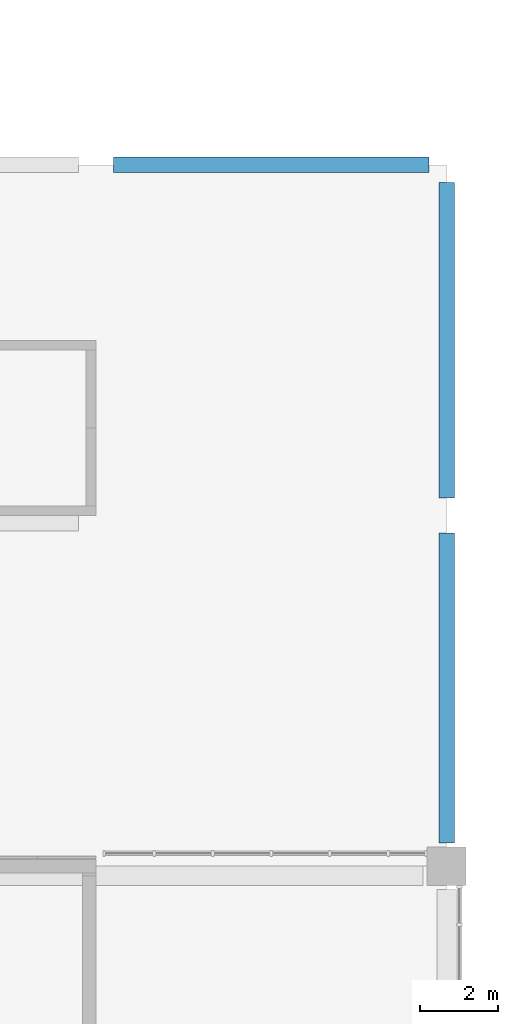
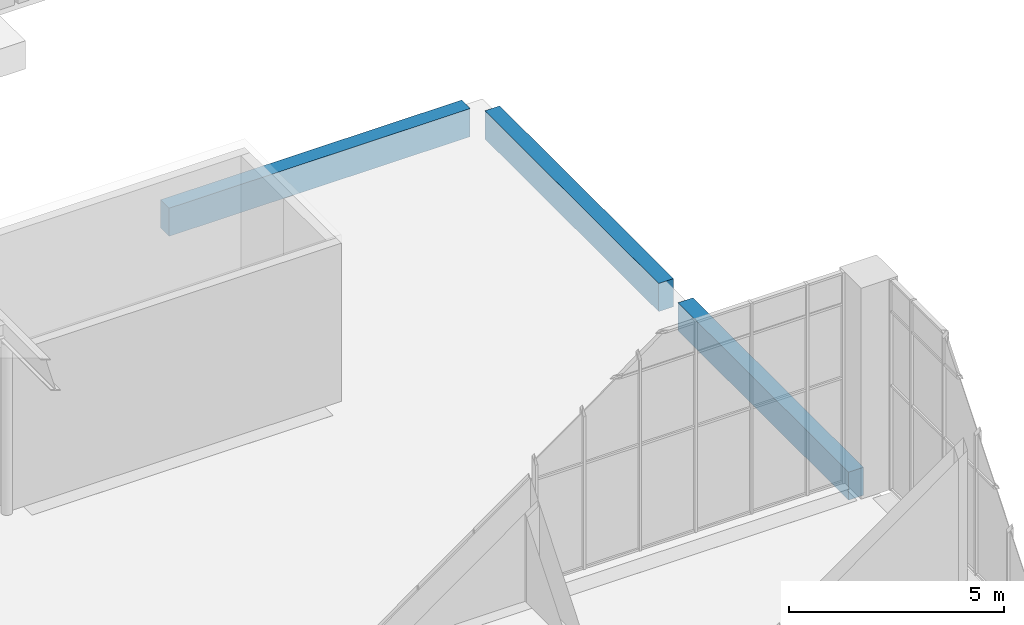
# One storey, part 34 of 86: 3 beams.
"""IFC4 building model written with IfcOpenShell, lengths in metres."""

import ifcopenshell
import ifcopenshell.guid

model = None  # the IFC model being written
_history = None  # IfcOwnerHistory: only IFC2X3 demands one
_inside = {}  # id of a spatial element -> (the spatial element, [elements in it])
_under = {}  # id of a project, library or spatial element -> (it, [spatial elements below it])
_declared = {}  # id of a project -> (the project, [libraries it declares])
_typed = {}  # id of a type object -> (the type object, [elements of that type])
_made_of = {}  # id of a material, layer set ... -> (it, [elements and type objects made of it])


def new_model(schema):
    """Start an empty IFC model of exactly this schema.

    Asked for "IFC4X3", IfcOpenShell would pick the latest addendum, in which some entities
    have other attributes; the version numbers below select the first issue.
    IFC2X3 requires an IfcOwnerHistory on every rooted entity: one is made here for all.
    """
    global model, _history
    if schema == "IFC4X3":
        model = ifcopenshell.file(schema_version=(4, 3, 0, 0))
    else:
        model = ifcopenshell.file(schema=schema)
    _inside.clear()
    _under.clear()
    _declared.clear()
    _typed.clear()
    _made_of.clear()
    _history = None
    if model.schema == "IFC2X3":
        org = make("IfcOrganization", Name="unknown")
        user = make(
            "IfcPersonAndOrganization",
            ThePerson=make("IfcPerson", FamilyName="unknown"),
            TheOrganization=org,
        )
        app = make(
            "IfcApplication",
            ApplicationDeveloper=org,
            Version="unknown",
            ApplicationFullName="unknown",
            ApplicationIdentifier="unknown",
        )
        _history = make(
            "IfcOwnerHistory",
            OwningUser=user,
            OwningApplication=app,
            ChangeAction="ADDED",
            CreationDate=0,
        )
    return model


def make(cls, **values):
    """One entity of the class cls with the attributes given. An attribute that is None is left unset."""
    return model.create_entity(
        cls, **{name: value for name, value in values.items() if value is not None}
    )


def rooted(cls, **values):
    """An entity with a GlobalId (a new one), such as an element, a storey or a relation."""
    return make(cls, GlobalId=ifcopenshell.guid.new(), OwnerHistory=_history, **values)


def si_unit(unit_type, name, prefix=None):
    """IfcSIUnit, for example si_unit("LENGTHUNIT", "METRE", prefix="MILLI")."""
    return make("IfcSIUnit", UnitType=unit_type, Prefix=prefix, Name=name)


def assignment(units):
    """IfcUnitAssignment: the units of a project."""
    return None if units is None else make("IfcUnitAssignment", Units=units)


def point(xyz):
    """IfcCartesianPoint."""
    return None if xyz is None else make("IfcCartesianPoint", Coordinates=xyz)


def direction(xyz):
    """IfcDirection."""
    return None if xyz is None else make("IfcDirection", DirectionRatios=xyz)


def frame(location, z_axis=None, x_axis=None):
    """IfcAxis2Placement3D, a coordinate frame: its origin and axes. An axis left out is left unset."""
    return make(
        "IfcAxis2Placement3D",
        Location=point(location),
        Axis=direction(z_axis),
        RefDirection=direction(x_axis),
    )


def frame_2d(location, x_axis=None):
    """IfcAxis2Placement2D, a coordinate frame in the plane: its origin and x axis."""
    return make(
        "IfcAxis2Placement2D", Location=point(location), RefDirection=direction(x_axis)
    )


def origin():
    """The frame at (0, 0, 0) with its axes left unset."""
    return frame((0.0, 0.0, 0.0))


def origin_2d():
    """The frame at (0, 0) in the plane with its x axis left unset."""
    return frame_2d((0.0, 0.0))


def place(relative_to, where):
    """IfcLocalPlacement: puts the frame where relative to a parent placement (None: the world)."""
    return make(
        "IfcLocalPlacement", PlacementRelTo=relative_to, RelativePlacement=where
    )


def context(
    kind, dimensions, precision=None, world=None, true_north=None, identifier=None
):
    """IfcGeometricRepresentationContext, for example the 3D "Model" context."""
    return make(
        "IfcGeometricRepresentationContext",
        ContextIdentifier=identifier,
        ContextType=kind,
        CoordinateSpaceDimension=dimensions,
        Precision=precision,
        WorldCoordinateSystem=world,
        TrueNorth=true_north,
    )


def subcontext(parent, identifier, kind, view, scale=None):
    """IfcGeometricRepresentationSubContext, for example "Body" below "Model"."""
    return make(
        "IfcGeometricRepresentationSubContext",
        ContextIdentifier=identifier,
        ContextType=kind,
        ParentContext=parent,
        TargetScale=scale,
        TargetView=view,
    )


def project(units=None, contexts=None):
    """IfcProject with its units and contexts."""
    return rooted(
        "IfcProject",
        Name="project",
        RepresentationContexts=contexts,
        UnitsInContext=assignment(units),
    )


def spatial(cls, under=None, at=None, **own):
    """A site, building, storey or space (cls), placed at a placement, below another one or the project."""
    s = rooted(cls, ObjectPlacement=at, **own)
    if under is not None:
        _under.setdefault(under.id(), (under, []))[1].append(s)
    return s


def profile(cls, at=None, kind="AREA", **sizes):
    """A parametric profile (cls). Its sizes go by their IFC names, for example OverallWidth=200.0."""
    return make(cls, ProfileType=kind, Position=at, **sizes)


def rectangle(**sizes):
    """IfcRectangleProfileDef."""
    return profile("IfcRectangleProfileDef", **sizes)


def extrude(swept, where, along, depth):
    """IfcExtrudedAreaSolid: the profile swept, set in the frame where, extruded along a direction by depth."""
    return make(
        "IfcExtrudedAreaSolid",
        SweptArea=swept,
        Position=where,
        ExtrudedDirection=direction(along),
        Depth=depth,
    )


def shape(context_of_items, identifier, shape_type, items):
    """IfcShapeRepresentation: the items that make up one representation, for example the "Body"."""
    return make(
        "IfcShapeRepresentation",
        ContextOfItems=context_of_items,
        RepresentationIdentifier=identifier,
        RepresentationType=shape_type,
        Items=items,
    )


def material(Name=None, Category=None):
    """IfcMaterial."""
    return make("IfcMaterial", Name=Name, Category=Category)


def material_profile(
    of_material, cross_section, Name=None, Category=None, Priority=None
):
    """IfcMaterialProfile: a cross section and its material."""
    return make(
        "IfcMaterialProfile",
        Name=Name,
        Material=of_material,
        Profile=cross_section,
        Priority=Priority,
        Category=Category,
    )


def profile_set(profiles, Name=None, composite=None):
    """IfcMaterialProfileSet."""
    return make(
        "IfcMaterialProfileSet",
        Name=Name,
        MaterialProfiles=profiles,
        CompositeProfile=composite,
    )


def made_of(thing, what):
    """Note that an element or type object is made of a material, layer set ...; save() writes the relation."""
    if what is not None:
        _made_of.setdefault(what.id(), (what, []))[1].append(thing)
    return thing


def type_object(cls, material=None, **own):
    """A type object (cls), such as IfcWallType, which elements share."""
    return made_of(rooted(cls, **own), material)


def element(
    cls,
    number,
    at=None,
    inside=None,
    cuts=None,
    type_object=None,
    material=None,
    context=None,
    identifier="Body",
    shape_type=None,
    held_by="IfcProductDefinitionShape",
    body=None,
    shapes=None,
    **own,
):
    """One element of the class cls, such as IfcWall. Its Tag is "e" and its number.

    at: its placement. inside: the storey or other place that contains it. cuts: it is an
    opening in that element (IfcRelVoidsElement). A single representation is given by context,
    identifier, shape_type and body (its items); several are given by shapes. held_by: the class
    of the entity that holds the representations. save() writes the other relations.
    """
    e = rooted(cls, Tag="e%d" % number, ObjectPlacement=at, **own)
    if body is not None:
        shapes = [shape(context, identifier, shape_type, body)]
    if shapes is not None:
        e.Representation = make(held_by, Representations=shapes)
    if inside is not None:
        _inside.setdefault(inside.id(), (inside, []))[1].append(e)
    if cuts is not None:
        rooted(
            "IfcRelVoidsElement", RelatingBuildingElement=cuts, RelatedOpeningElement=e
        )
    if type_object is not None:
        _typed.setdefault(type_object.id(), (type_object, []))[1].append(e)
    return made_of(e, material)


def aggregate(whole, parts):
    """IfcRelAggregates: a whole, such as a stair, and the parts it consists of."""
    return rooted("IfcRelAggregates", RelatingObject=whole, RelatedObjects=parts)


def save(model, path):
    """Write the relations noted so far, then the file.

    IfcRelAggregates (storeys below a building ...), IfcRelContainedInSpatialStructure (elements
    in a storey), IfcRelDefinesByType, IfcRelAssociatesMaterial and IfcRelDeclares: one each for
    every whole, place, type object, material and project.
    """
    for whole, parts in _under.values():
        aggregate(whole, parts)
    for where, things in _inside.values():
        rooted(
            "IfcRelContainedInSpatialStructure",
            RelatedElements=things,
            RelatingStructure=where,
        )
    for kind, things in _typed.values():
        rooted("IfcRelDefinesByType", RelatedObjects=things, RelatingType=kind)
    for what, things in _made_of.values():
        rooted("IfcRelAssociatesMaterial", RelatedObjects=things, RelatingMaterial=what)
    for by, libraries in _declared.values():
        rooted("IfcRelDeclares", RelatingContext=by, RelatedDefinitions=libraries)
    model.write(path)


model = new_model("IFC4")

# Units and contexts
model_context = context("Model", 3, precision=1e-05, world=origin(), true_north=direction((0.0, 1.0)))
body_context = subcontext(model_context, "Body", "Model", "MODEL_VIEW")
ifc_project = project(units=[si_unit("LENGTHUNIT", "METRE"), si_unit("AREAUNIT", "SQUARE_METRE"), si_unit("VOLUMEUNIT", "CUBIC_METRE"), si_unit("PLANEANGLEUNIT", "RADIAN"), si_unit("MASSUNIT", "GRAM", prefix="KILO")], contexts=[model_context])

# Site, building, storey
site_placement = place(None, origin())
site = spatial("IfcSite", under=ifc_project, at=site_placement, CompositionType="ELEMENT")
building_placement = place(site_placement, origin())
building = spatial("IfcBuilding", under=site, at=building_placement, Name="Guidao Yard Department Store", CompositionType="ELEMENT")
storey_placement = place(building_placement, origin())
storey = spatial("IfcBuildingStorey", under=building, at=storey_placement, Name="L00", CompositionType="ELEMENT", Elevation=0.0)

# Beams
ifc_material = material(Name="Concrete C40", Category="concrete")
ifc_material_profile = material_profile(ifc_material, rectangle(XDim=0.39990234375, YDim=0.800048828125, at=origin_2d()), Name="Spandrel beam 400 x 800 C40")
ifc_profile_set = profile_set([ifc_material_profile], Name="Concrete C40")
beam_type = type_object("IfcBeamType", Name="Spandrel beam 400 x 800 C40", PredefinedType="SPANDREL", material=ifc_profile_set)
beam_placement = place(storey_placement, frame((171.0, 27.60009765625, -0.39990234375), z_axis=(0.0, 1.0, 0.0), x_axis=(-1.0, 0.0, 0.0)))
element("IfcBeam", 1, at=beam_placement, inside=storey, type_object=beam_type, Name="Beam EB73", PredefinedType="SPANDREL", context=body_context, shape_type="SweptSolid", body=[
    extrude(rectangle(XDim=0.39990234375, YDim=0.800048828125, at=origin_2d()), origin(), (0.0, 0.0, 1.0), 7.949951171875),
])
for number, where, z_axis, x_axis, name in (
    (2, (171.0, 36.449951171875, -0.39990234375), (0.0, 1.0, 0.0), (-1.0, 0.0, 0.0), "Beam EB74"),
    (3, (162.449951171875, 45.0, -0.39990234375), (1.0, 0.0, 0.0), (0.0, 1.0, 0.0), "Beam EB87"),
):
    element("IfcBeam", number, at=place(storey_placement, frame(where, z_axis=z_axis, x_axis=x_axis)), inside=storey, type_object=beam_type, Name=name, PredefinedType="SPANDREL", context=body_context, shape_type="SweptSolid", body=[
        extrude(rectangle(XDim=0.39990234375, YDim=0.800048828125, at=origin_2d()), origin(), (0.0, 0.0, 1.0), 8.10009765625),
    ])

save(model, "model.ifc")
